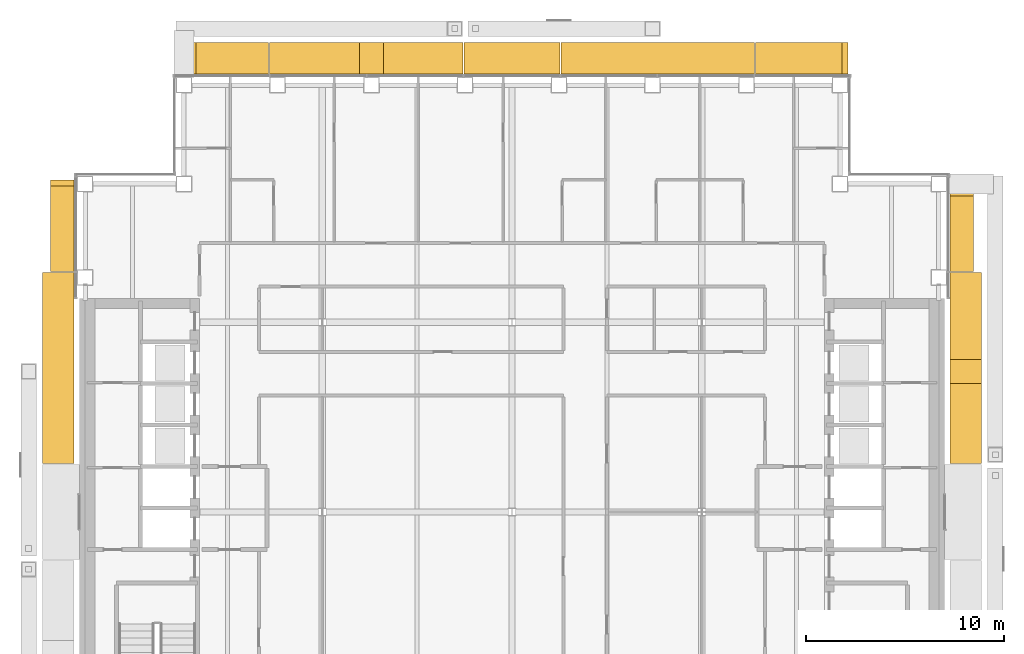
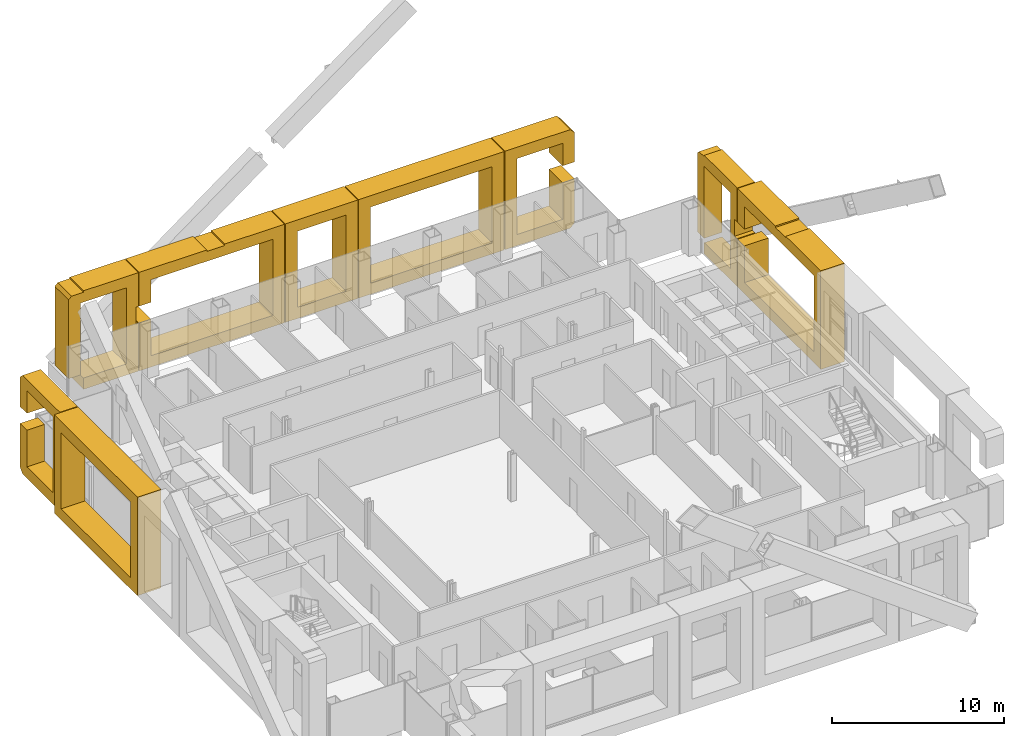
# One storey, part 21 of 22: 9 coverings.
"""IFC4 building model written with IfcOpenShell, lengths in metres."""

from ifc_helpers import new_model, si_unit, direction, frame, origin, place, context, subcontext, project, spatial, polyline, outline, extrude, material, type_object, element, save


model = new_model("IFC4")

# Units and contexts
model_context = context("Model", 3, precision=1e-05, world=origin(), true_north=direction((0.0, 1.0)))
body_context = subcontext(model_context, "Body", "Model", "MODEL_VIEW")
ifc_project = project(units=[si_unit("LENGTHUNIT", "METRE"), si_unit("AREAUNIT", "SQUARE_METRE"), si_unit("VOLUMEUNIT", "CUBIC_METRE"), si_unit("PLANEANGLEUNIT", "RADIAN"), si_unit("MASSUNIT", "GRAM", prefix="KILO")], contexts=[model_context])

# Site, building, storey
site_placement = place(None, origin())
site = spatial("IfcSite", under=ifc_project, at=site_placement, CompositionType="ELEMENT")
building_placement = place(site_placement, origin())
building = spatial("IfcBuilding", under=site, at=building_placement, Name="Cobrizo Arcos Hotel Tower", CompositionType="ELEMENT")
storey_placement = place(building_placement, frame((0.0, 0.0, 162.0)))
storey = spatial("IfcBuildingStorey", under=building, at=storey_placement, Name="L41", CompositionType="ELEMENT", Elevation=162.0)

# Coverings
ifc_material = material(Name="Aluminium 6063-T6 anodised bronze", Category="aluminium")
covering_type_1 = type_object("IfcCoveringType", Name="FIN-F 1200", PredefinedType="CLADDING", material=ifc_material)
covering_1_placement = place(storey_placement, frame((22.14990234375, 12.16796875, 0.0), z_axis=(1.0, 0.0, 0.0), x_axis=(0.0, 1.0, 0.0)))
element("IfcCovering", 1, at=covering_1_placement, inside=storey, type_object=covering_type_1, Name="Fin frame 215", PredefinedType="CLADDING", context=body_context, shape_type="SweptSolid", body=[
    extrude(outline(polyline([(0.0, 0.0), (3.830078125, 0.0), (3.830078125, 0.800048828125), (0.800048828125, 0.800048828125), (0.800048828125, 6.199951171875), (3.83203125, 6.199951171875), (3.83203125, 1.10205078125), (4.632080078125, 1.10205078125), (4.632080078125, 6.699951171875), (4.43408203125, 6.89794921875), (3.830078125, 6.89794921875), (3.830078125, 7.0), (0.0, 7.0), (0.0, 4.60205078125), (0.291259765625, 4.60205078125), (0.291259765625, 3.39794921875), (0.0, 3.39794921875), (0.0, 0.0)])), origin(), (0.0, 0.0, 1.0), 1.2001953125),
])
covering_2_placement = place(storey_placement, frame((-22.14990234375, 16.800048828125, 0.0), z_axis=(-1.0, 0.0, 0.0), x_axis=(0.0, -1.0, 0.0)))
element("IfcCovering", 2, at=covering_2_placement, inside=storey, type_object=covering_type_1, Name="Fin frame 271", PredefinedType="CLADDING", context=body_context, shape_type="SweptSolid", body=[
    extrude(outline(polyline([(0.0, 6.699951171875), (0.0, 4.60205078125), (0.800048828125, 4.60205078125), (0.800048828125, 6.199951171875), (3.83203125, 6.199951171875), (3.83203125, 0.800048828125), (0.800048828125, 0.800048828125), (0.800048828125, 3.39794921875), (0.0, 3.39794921875), (0.0, 0.300048828125), (0.300048828125, 0.0), (4.632080078125, 0.0), (4.632080078125, 7.0), (0.300048828125, 7.0), (0.0, 6.699951171875)])), origin(), (0.0, 0.0, 1.0), 1.2001953125),
])
covering_type_2 = type_object("IfcCoveringType", Name="FIN-F 1600", PredefinedType="CLADDING", material=ifc_material)
covering_3_placement = place(storey_placement, frame((17.0, 22.14990234375, 0.0), z_axis=(0.0, 1.0, 0.0), x_axis=(-1.0, 0.0, 0.0)))
element("IfcCovering", 3, at=covering_3_placement, inside=storey, type_object=covering_type_2, Name="Fin frame 181", PredefinedType="CLADDING", context=body_context, shape_type="SweptSolid", body=[
    extrude(outline(polyline([(0.0, 6.699951171875), (0.0, 4.60205078125), (0.800048828125, 4.60205078125), (0.800048828125, 6.199951171875), (3.889404296875, 6.199951171875), (3.889404296875, 0.800048828125), (0.800048828125, 0.800048828125), (0.800048828125, 3.39794921875), (0.0, 3.39794921875), (0.0, 0.300048828125), (0.300048828125, 0.0), (4.689208984375, 0.0), (4.689208984375, 7.0), (0.300048828125, 7.0), (0.0, 6.699951171875)])), origin(), (0.0, 0.0, 1.0), 1.60009765625),
])
covering_4_placement = place(storey_placement, frame((12.2607421875, 22.14990234375, 0.0), z_axis=(0.0, 1.0, 0.0), x_axis=(-1.0, 0.0, 0.0)))
element("IfcCovering", 4, at=covering_4_placement, inside=storey, type_object=covering_type_2, Name="Fin frame 182", PredefinedType="CLADDING", context=body_context, shape_type="SweptSolid", body=[
    extrude(outline(polyline([(0.0, 7.0), (0.0, 0.0), (9.778564453125, 0.0), (9.778564453125, 7.0), (0.0, 7.0)]), holes=[polyline([(8.978515625, 0.800048828125), (0.800048828125, 0.800048828125), (0.800048828125, 6.199951171875), (8.978515625, 6.199951171875), (8.978515625, 0.800048828125)])]), origin(), (0.0, 0.0, 1.0), 1.60009765625),
])
covering_5_placement = place(storey_placement, frame((2.43212890625, 22.14990234375, 0.0), z_axis=(0.0, 1.0, 0.0), x_axis=(-1.0, 0.0, 0.0)))
element("IfcCovering", 5, at=covering_5_placement, inside=storey, type_object=covering_type_2, Name="Fin frame 183", PredefinedType="CLADDING", context=body_context, shape_type="SweptSolid", body=[
    extrude(outline(polyline([(0.0, 7.0), (0.0, 0.0), (4.8642578125, 0.0), (4.8642578125, 7.0), (0.0, 7.0)]), holes=[polyline([(4.064208984375, 0.800048828125), (0.800048828125, 0.800048828125), (0.800048828125, 6.199951171875), (4.064208984375, 6.199951171875), (4.064208984375, 0.800048828125)])]), origin(), (0.0, 0.0, 1.0), 1.60009765625),
])
covering_6_placement = place(storey_placement, frame((-2.482177734375, 22.14990234375, 0.0), z_axis=(0.0, 1.0, 0.0), x_axis=(-1.0, 0.0, 0.0)))
element("IfcCovering", 6, at=covering_6_placement, inside=storey, type_object=covering_type_2, Name="Fin frame 184", PredefinedType="CLADDING", context=body_context, shape_type="SweptSolid", body=[
    extrude(outline(polyline([(9.778564453125, 0.0), (9.778564453125, 3.39794921875), (8.978515625, 3.39794921875), (8.978515625, 0.800048828125), (0.800048828125, 0.800048828125), (0.800048828125, 6.199951171875), (8.978515625, 6.199951171875), (8.978515625, 4.60205078125), (9.778564453125, 4.60205078125), (9.778564453125, 7.0), (5.234130859375, 7.0), (5.234130859375, 6.89794921875), (4.0302734375, 6.89794921875), (4.0302734375, 7.0), (0.0, 7.0), (0.0, 0.0), (9.778564453125, 0.0)])), origin(), (0.0, 0.0, 1.0), 1.60009765625),
])
covering_7_placement = place(storey_placement, frame((-12.310791015625, 22.14990234375, 0.0), z_axis=(0.0, 1.0, 0.0), x_axis=(-1.0, 0.0, 0.0)))
element("IfcCovering", 7, at=covering_7_placement, inside=storey, type_object=covering_type_2, Name="Fin frame 185", PredefinedType="CLADDING", context=body_context, shape_type="SweptSolid", body=[
    extrude(outline(polyline([(0.0, 0.0), (3.687255859375, 0.0), (3.687255859375, 0.800048828125), (0.800048828125, 0.800048828125), (0.800048828125, 6.199951171875), (3.889404296875, 6.199951171875), (3.889404296875, 1.10205078125), (4.689208984375, 1.10205078125), (4.689208984375, 6.699951171875), (4.4912109375, 6.89794921875), (3.687255859375, 6.89794921875), (3.687255859375, 7.0), (0.0, 7.0), (0.0, 4.60205078125), (0.1484375, 4.60205078125), (0.1484375, 3.39794921875), (0.0, 3.39794921875), (0.0, 0.0)])), origin(), (0.0, 0.0, 1.0), 1.60009765625),
])
covering_8_placement = place(storey_placement, frame((22.14990234375, 2.45361328125, 0.0), z_axis=(1.0, 0.0, 0.0), x_axis=(0.0, 1.0, 0.0)))
element("IfcCovering", 8, at=covering_8_placement, inside=storey, type_object=covering_type_2, Name="Fin frame 214", PredefinedType="CLADDING", context=body_context, shape_type="SweptSolid", body=[
    extrude(outline(polyline([(9.664306640625, 0.0), (9.664306640625, 3.39794921875), (8.8642578125, 3.39794921875), (8.8642578125, 0.800048828125), (0.800048828125, 0.800048828125), (0.800048828125, 6.199951171875), (8.8642578125, 6.199951171875), (8.8642578125, 4.60205078125), (9.664306640625, 4.60205078125), (9.664306640625, 7.0), (5.2626953125, 7.0), (5.2626953125, 6.89794921875), (4.05859375, 6.89794921875), (4.05859375, 7.0), (0.0, 7.0), (0.0, 0.0), (9.664306640625, 0.0)])), origin(), (0.0, 0.0, 1.0), 1.60009765625),
])
covering_9_placement = place(storey_placement, frame((-22.14990234375, 12.117919921875, 0.0), z_axis=(-1.0, 0.0, 0.0), x_axis=(0.0, -1.0, 0.0)))
element("IfcCovering", 9, at=covering_9_placement, inside=storey, type_object=covering_type_2, Name="Fin frame 272", PredefinedType="CLADDING", context=body_context, shape_type="SweptSolid", body=[
    extrude(outline(polyline([(0.0, 7.0), (0.0, 0.0), (9.664306640625, 0.0), (9.664306640625, 7.0), (0.0, 7.0)]), holes=[polyline([(8.8642578125, 0.800048828125), (0.800048828125, 0.800048828125), (0.800048828125, 6.199951171875), (8.8642578125, 6.199951171875), (8.8642578125, 0.800048828125)])]), origin(), (0.0, 0.0, 1.0), 1.60009765625),
])

save(model, "model.ifc")
